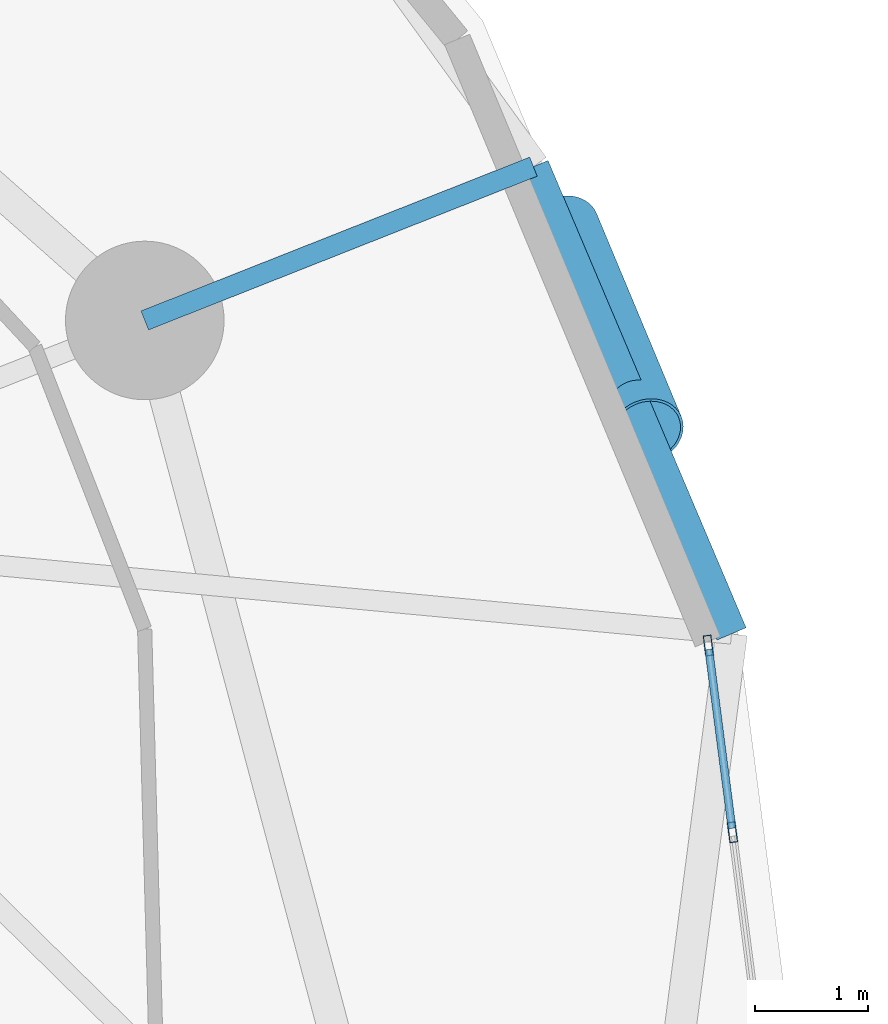
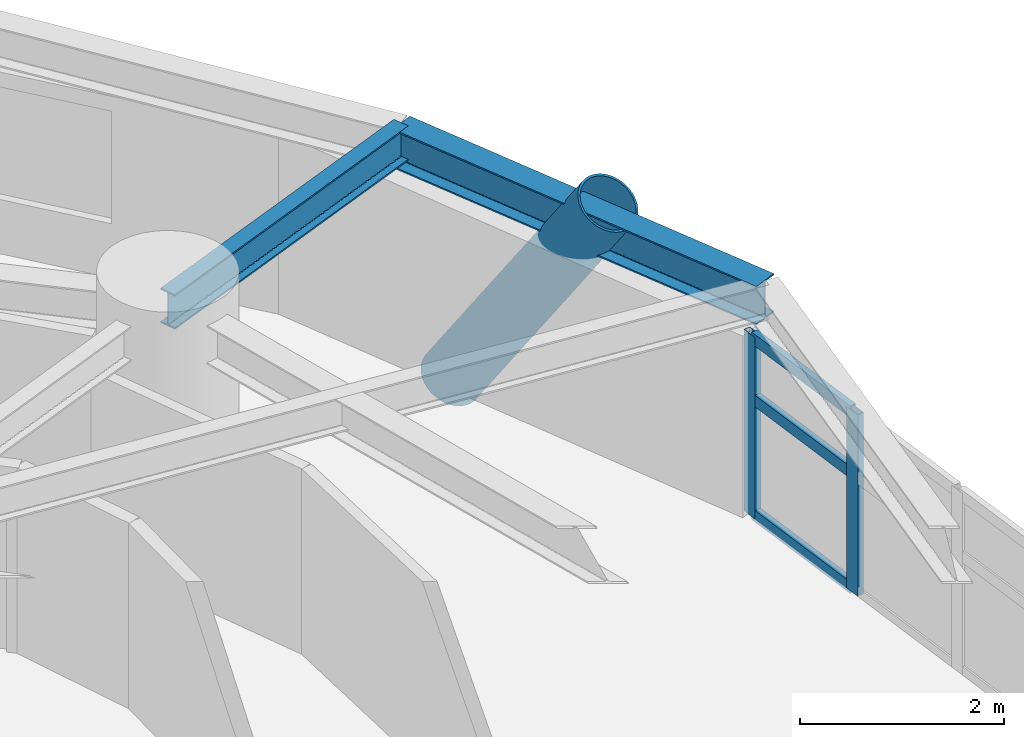
# One storey, part 4 of 18: 6 members, 2 beams, 1 element without a shape of its own.
"""IFC4 building model written with IfcOpenShell, lengths in metres."""

from ifc_helpers import new_model, si_unit, direction, frame, origin, origin_2d, place, context, subcontext, project, spatial, hollow_rectangle, hollow_circle, i_section, extrude, material, layer, layer_set, material_profile, profile_set, type_object, element, aggregate, save


model = new_model("IFC4")

# Units and contexts
model_context = context("Model", 3, precision=1e-05, world=origin(), true_north=direction((0.0, 1.0)))
body_context = subcontext(model_context, "Body", "Model", "MODEL_VIEW")
ifc_project = project(units=[si_unit("LENGTHUNIT", "METRE"), si_unit("AREAUNIT", "SQUARE_METRE"), si_unit("VOLUMEUNIT", "CUBIC_METRE"), si_unit("PLANEANGLEUNIT", "RADIAN"), si_unit("MASSUNIT", "GRAM", prefix="KILO")], contexts=[model_context])

# Site, building, storey
site_placement = place(None, origin())
site = spatial("IfcSite", under=ifc_project, at=site_placement, CompositionType="ELEMENT")
building_placement = place(site_placement, origin())
building = spatial("IfcBuilding", under=site, at=building_placement, Name="Cununo Teusaquillo Station Towers", CompositionType="ELEMENT")
storey_placement = place(building_placement, frame((0.0, 0.0, 87.610107421875)))
storey = spatial("IfcBuildingStorey", under=building, at=storey_placement, Name="L27", CompositionType="ELEMENT", Elevation=87.610107421875)

# Beams
ifc_material_1 = material(Name="Steel ASTM A572 Grade 50", Category="steel")
ifc_material_profile_1 = material_profile(ifc_material_1, i_section(OverallWidth=0.180908203125, OverallDepth=0.4169921875, WebThickness=0.010986328125, FlangeThickness=0.018310546875, FilletRadius=0.012939453125, at=origin_2d()), Name="W16X57")
ifc_profile_set_1 = profile_set([ifc_material_profile_1], Name="Steel ASTM A572 Grade 50")
beam_type_1 = type_object("IfcBeamType", Name="BM-RAD-G2", PredefinedType="BEAM", material=ifc_profile_set_1)
beam_1_placement = place(storey_placement, frame((26.347412109375, 33.228515625, 2.46142578125), z_axis=(0.929861788731, 0.367909029323, 0.0), x_axis=(-0.367909029323, 0.929861788731, 0.0)))
element("IfcBeam", 1, at=beam_1_placement, inside=storey, type_object=beam_type_1, Name="L27 Tower A Perimeter Overhang Girder 02B", PredefinedType="BEAM", context=body_context, shape_type="SweptSolid", body=[
    extrude(i_section(OverallWidth=0.180908203125, OverallDepth=0.4169921875, WebThickness=0.010986328125, FlangeThickness=0.018310546875, FilletRadius=0.012939453125, at=origin_2d()), origin(), (0.0, 0.0, 1.0), 3.690185546875),
])
ifc_material_2 = material(Name="Steel ASTM A572 Grade 50", Category="steel")
ifc_material_profile_2 = material_profile(ifc_material_2, i_section(OverallWidth=0.280029296875, OverallDepth=0.462890625, WebThickness=0.0107421875, FlangeThickness=0.017333984375, FilletRadius=0.013916015625, at=origin_2d()), Name="W18X76")
ifc_profile_set_2 = profile_set([ifc_material_profile_2], Name="Steel ASTM A572 Grade 50")
beam_type_2 = type_object("IfcBeamType", Name="BM-RING-Z2", PredefinedType="SPANDREL", material=ifc_profile_set_2)
beam_2_placement = place(storey_placement, frame((31.527587890625, 30.4609375, 2.4384765625), z_axis=(-0.390299356049, 0.920688010494, 0.0), x_axis=(-0.920688010494, -0.390299356049, 0.0)))
element("IfcBeam", 2, at=beam_2_placement, inside=storey, type_object=beam_type_2, Name="L27 Tower A Spandrel Ring Beam 02", PredefinedType="SPANDREL", context=body_context, shape_type="SweptSolid", body=[
    extrude(i_section(OverallWidth=0.280029296875, OverallDepth=0.462890625, WebThickness=0.0107421875, FlangeThickness=0.017333984375, FilletRadius=0.013916015625, at=origin_2d()), origin(), (0.0, 0.0, 1.0), 4.480712890625),
])

# Curtain wall, members
ifc_material_3 = material(Name="Ceramic-fritted dark low-E double glazing", Category="glass")
ifc_layer = layer(ifc_material_3, 0.179931640625)
ifc_layer_set = layer_set([ifc_layer], Name="Ceramic-fritted dark low-E double glazing")
curtain_wall_type = type_object("IfcCurtainWallType", Name="CW-SYS-04", PredefinedType="USERDEFINED", material=ifc_layer_set)
curtain_wall_placement = place(storey_placement, origin())
curtain_wall = element("IfcCurtainWall", 3, at=curtain_wall_placement, inside=storey, type_object=curtain_wall_type, Name="L27 Tower A Facade Curtain Wall C00", ObjectType="FRITTED GLAZING", PredefinedType="USERDEFINED")
ifc_material_4 = material(Name="Anodised dark bronze aluminium EN AW-6063-T6", Category="aluminium")
ifc_material_profile_3 = material_profile(ifc_material_4, hollow_rectangle(XDim=0.070068359375, YDim=0.179931640625, WallThickness=0.00390625, at=origin_2d()), Name="CW-MULL-70x180")
ifc_profile_set_3 = profile_set([ifc_material_profile_3], Name="Anodised dark bronze aluminium EN AW-6063-T6")
member_type_1 = type_object("IfcMemberType", Name="CWM-180", PredefinedType="MULLION", material=ifc_profile_set_3)
member_1_placement = place(storey_placement, frame((31.322998046875, 30.3583984375, 0.0), z_axis=(0.0, 0.0, 1.0), x_axis=(0.991730764367, 0.128335852387, 0.0)))
member_1 = element("IfcMember", 4, at=member_1_placement, type_object=member_type_1, Name="CW-04 mullion 1", PredefinedType="MULLION", context=body_context, shape_type="SweptSolid", body=[
    extrude(hollow_rectangle(XDim=0.070068359375, YDim=0.179931640625, WallThickness=0.00390625, at=origin_2d()), origin(), (0.0, 0.0, 1.0), 2.178955078125),
])
member_2_placement = place(storey_placement, frame((31.5361328125, 28.709716796875, 0.0), z_axis=(0.0, 0.0, 1.0), x_axis=(0.991730764367, 0.128335852387, 0.0)))
member_2 = element("IfcMember", 5, at=member_2_placement, type_object=member_type_1, Name="CW-04 mullion 2", PredefinedType="MULLION", context=body_context, shape_type="SweptSolid", body=[
    extrude(hollow_rectangle(XDim=0.070068359375, YDim=0.179931640625, WallThickness=0.00390625, at=origin_2d()), origin(), (0.0, 0.0, 1.0), 2.178955078125),
])
ifc_material_5 = material(Name="Anodised dark bronze aluminium EN AW-6063-T6", Category="aluminium")
ifc_material_profile_4 = material_profile(ifc_material_5, hollow_rectangle(XDim=0.070068359375, YDim=0.139892578125, WallThickness=0.00390625, at=origin_2d()), Name="CW-TRAN-70x140")
ifc_profile_set_4 = profile_set([ifc_material_profile_4], Name="Anodised dark bronze aluminium EN AW-6063-T6")
member_type_2 = type_object("IfcMemberType", Name="CWT-140", PredefinedType="USERDEFINED", material=ifc_profile_set_4)
member_3_placement = place(storey_placement, frame((31.327392578125, 30.323486328125, 0.034912109375), z_axis=(0.128336210724, -0.991730717996, 0.0), x_axis=(0.991730717996, 0.128336210724, 0.0)))
member_3 = element("IfcMember", 6, at=member_3_placement, type_object=member_type_2, Name="CW-04 transom 1.1", ObjectType="TRANSOM", PredefinedType="USERDEFINED", context=body_context, shape_type="SweptSolid", body=[
    extrude(hollow_rectangle(XDim=0.070068359375, YDim=0.139892578125, WallThickness=0.00390625, at=origin_2d()), origin(), (0.0, 0.0, 1.0), 1.59228515625),
])
member_4_placement = place(storey_placement, frame((31.327392578125, 30.323486328125, 1.415771484375), z_axis=(0.128336210724, -0.991730717996, 0.0), x_axis=(0.991730717996, 0.128336210724, 0.0)))
member_4 = element("IfcMember", 7, at=member_4_placement, type_object=member_type_2, Name="CW-04 transom 1.2", ObjectType="TRANSOM", PredefinedType="USERDEFINED", context=body_context, shape_type="SweptSolid", body=[
    extrude(hollow_rectangle(XDim=0.070068359375, YDim=0.139892578125, WallThickness=0.00390625, at=origin_2d()), origin(), (0.0, 0.0, 1.0), 1.59228515625),
])
member_5_placement = place(storey_placement, frame((31.327392578125, 30.323486328125, 2.143798828125), z_axis=(0.128336210724, -0.991730717996, 0.0), x_axis=(0.991730717996, 0.128336210724, 0.0)))
member_5 = element("IfcMember", 8, at=member_5_placement, type_object=member_type_2, Name="CW-04 transom 1.3", ObjectType="TRANSOM", PredefinedType="USERDEFINED", context=body_context, shape_type="SweptSolid", body=[
    extrude(hollow_rectangle(XDim=0.070068359375, YDim=0.139892578125, WallThickness=0.00390625, at=origin_2d()), origin(), (0.0, 0.0, 1.0), 1.59228515625),
])
aggregate(curtain_wall, [member_1, member_2, member_3, member_4, member_5])

# Member
ifc_material_6 = material(Name="Steel EN 10025-2 S355J2", Category="steel")
ifc_material_profile_5 = material_profile(ifc_material_6, hollow_circle(Radius=0.330078125, WallThickness=0.02490234375, at=origin_2d()), Name="CHS 660x25")
ifc_profile_set_5 = profile_set([ifc_material_profile_5], Name="Steel EN 10025-2 S355J2")
member_type_3 = type_object("IfcMemberType", Name="MBR-DIAG-Z2", PredefinedType="BRACE", material=ifc_profile_set_5)
member_6_placement = place(storey_placement, frame((30.031494140625, 34.0458984375, -0.14013671875), z_axis=(0.213813667787, -0.512343325357, 0.831737958993), x_axis=(0.922861086318, 0.385132983993, 0.0)))
element("IfcMember", 9, at=member_6_placement, inside=storey, type_object=member_type_3, Name="L27 Tower A Folded-Zigzag Diagrid Tube C01", PredefinedType="BRACE", context=body_context, shape_type="SweptSolid", body=[
    extrude(hollow_circle(Radius=0.330078125, WallThickness=0.02490234375, at=origin_2d()), origin(), (0.0, 0.0, 1.0), 3.49853515625),
])

save(model, "model.ifc")
